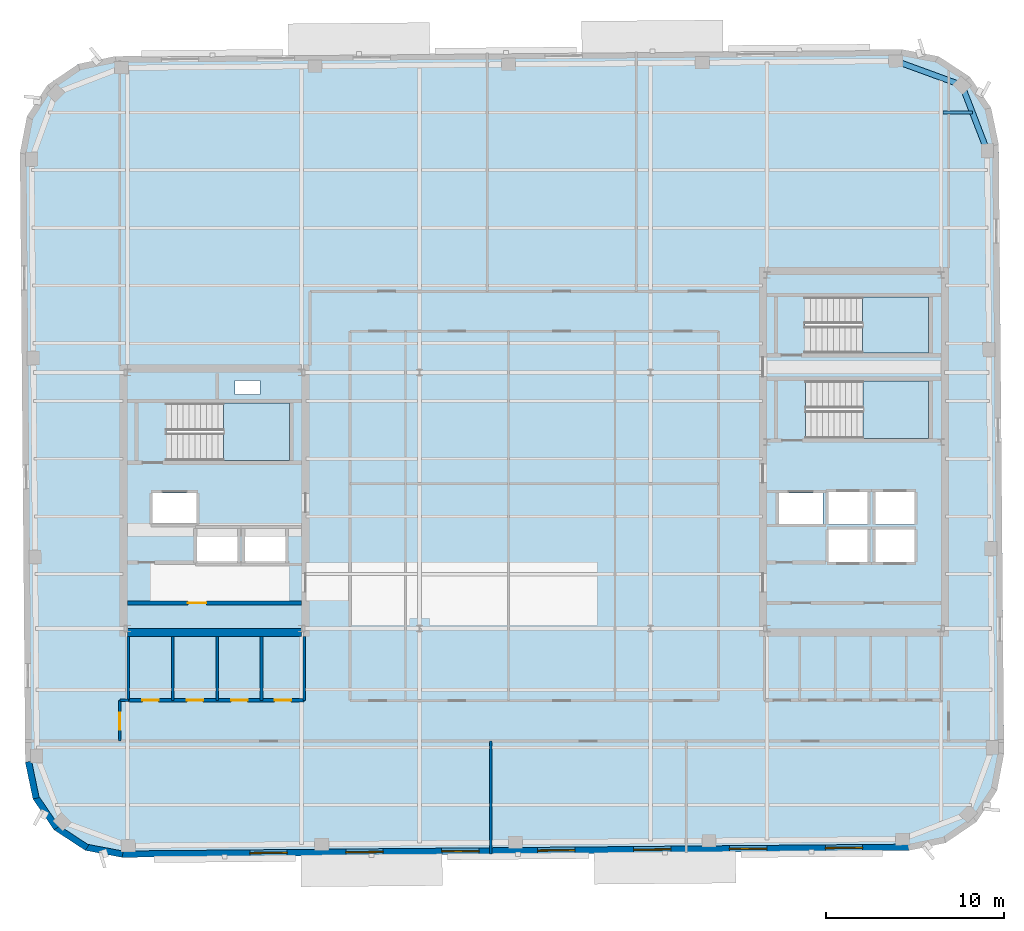
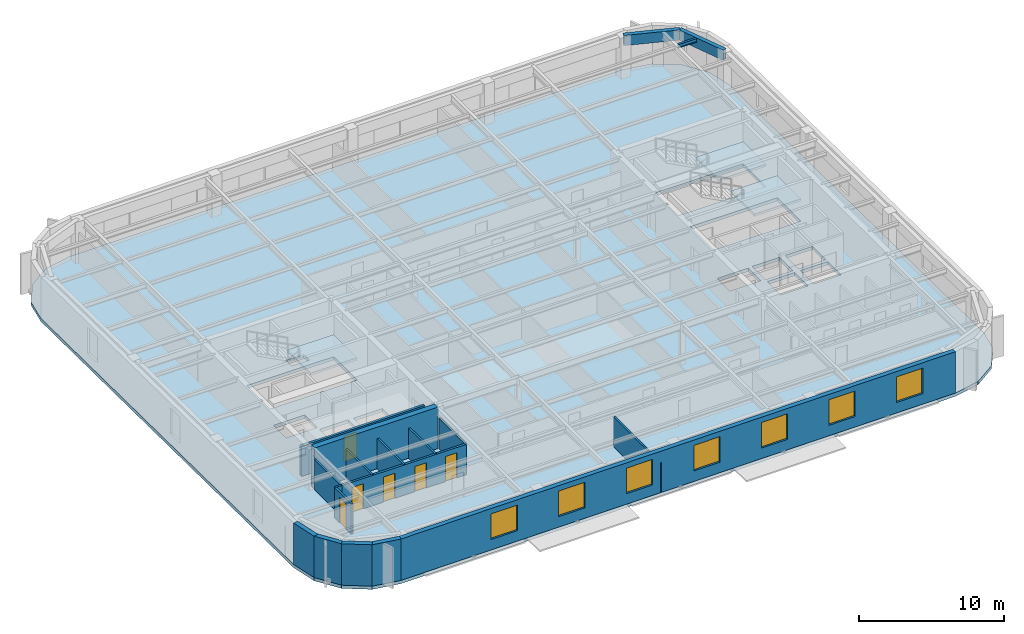
# One storey, part 6 of 15: 16 walls, 7 windows, 6 doors, 4 slabs, 3 beams, 13 openings, 3 elements without a shape of their own.
"""IFC4 building model written with IfcOpenShell, lengths in metres."""

from ifc_helpers import new_model, si_unit, direction, frame, frame_2d, origin, origin_2d, place, context, subcontext, project, spatial, polyline, rectangle, hollow_rectangle, i_section, outline, extrude, material, layer, layer_set, material_profile, profile_set, type_object, element, fill, aggregate, save


model = new_model("IFC4")

# Units and contexts
model_context = context("Model", 3, precision=1e-05, world=origin(), true_north=direction((0.0, 1.0)))
body_context = subcontext(model_context, "Body", "Model", "MODEL_VIEW")
ifc_project = project(units=[si_unit("LENGTHUNIT", "METRE"), si_unit("AREAUNIT", "SQUARE_METRE"), si_unit("VOLUMEUNIT", "CUBIC_METRE"), si_unit("PLANEANGLEUNIT", "RADIAN"), si_unit("MASSUNIT", "GRAM", prefix="KILO")], contexts=[model_context])

# Site, building, storey
site_placement = place(None, origin())
site = spatial("IfcSite", under=ifc_project, at=site_placement, CompositionType="ELEMENT")
building_placement = place(site_placement, origin())
building = spatial("IfcBuilding", under=site, at=building_placement, Name="Kolvaren Arena Tower", CompositionType="ELEMENT")
storey_placement = place(building_placement, frame((0.0, 0.0, 304.89990234375)))
storey = spatial("IfcBuildingStorey", under=building, at=storey_placement, Name="L75", CompositionType="ELEMENT", Elevation=304.89990234375)

# Beams
ifc_material_1 = material(Name="Steel CSA G40.21 350W", Category="steel")
ifc_material_profile_1 = material_profile(ifc_material_1, i_section(OverallWidth=0.1669921875, OverallDepth=0.31689453125, WebThickness=0.007568359375, FlangeThickness=0.01318359375, FilletRadius=0.010009765625, at=origin_2d()), Name="W310x52")
ifc_profile_set_1 = profile_set([ifc_material_profile_1], Name="Steel CSA G40.21 350W")
beam_type_1 = type_object("IfcBeamType", Name="JOIST-02", PredefinedType="JOIST", material=ifc_profile_set_1)
beam_placement = place(storey_placement, frame((60.464111328125, 48.5, 3.321533203125), z_axis=(1.0, 0.0, 0.0), x_axis=(0.0, 1.0, 0.0)))
element("IfcBeam", 1, at=beam_placement, inside=storey, type_object=beam_type_1, Name="Composite Floor Joist (L75)", PredefinedType="JOIST", context=body_context, shape_type="SweptSolid", body=[
    extrude(i_section(OverallWidth=0.1669921875, OverallDepth=0.31689453125, WebThickness=0.007568359375, FlangeThickness=0.01318359375, FilletRadius=0.010009765625, at=origin_2d()), origin(), (0.0, 0.0, 1.0), 1.654296875),
])
ifc_material_2 = material(Name="Steel CSA G40.21 350WT", Category="steel")
ifc_material_profile_2 = material_profile(ifc_material_2, hollow_rectangle(XDim=0.320068359375, YDim=0.860107421875, WallThickness=0.01806640625, at=origin_2d()), Name="HSS 860x320x18")
ifc_profile_set_2 = profile_set([ifc_material_profile_2], Name="Steel CSA G40.21 350WT")
beam_type_2 = type_object("IfcBeamType", Name="SPAND-02", PredefinedType="SPANDREL", material=ifc_profile_set_2)
for number, where, z_axis, x_axis, name in (
    (2, (62.952392578125, 46.333984375, 3.050048828125), (-0.359383792094, 0.933189846698, 0.0), (-0.933189846698, -0.359383792094, 0.0), "Perimeter Spandrel Beam (L75)"),
    (3, (61.52880859375, 50.030517578125, 3.050048828125), (-0.939313819882, 0.343059102458, 0.0), (-0.343059102458, -0.939313819882, 0.0), "Perimeter Spandrel Beam (L75)"),
):
    element("IfcBeam", number, at=place(storey_placement, frame(where, z_axis=z_axis, x_axis=x_axis)), inside=storey, type_object=beam_type_2, Name=name, PredefinedType="SPANDREL", context=body_context, shape_type="SweptSolid", body=[
        extrude(hollow_rectangle(XDim=0.320068359375, YDim=0.860107421875, WallThickness=0.01806640625, at=origin_2d()), origin(), (0.0, 0.0, 1.0), 3.961181640625),
    ])

# Stair, slab
ifc_material_3 = material(Name="Concrete 45 MPa", Category="concrete")
stair_type_1 = type_object("IfcStairType", Name="STAIR-CORE-165", PredefinedType="HALF_TURN_STAIR", material=ifc_material_3)
stair_1_placement = place(storey_placement, origin())
stair_1 = element("IfcStair", 4, at=stair_1_placement, inside=storey, type_object=stair_type_1, Name="L75 ST-W1", PredefinedType="HALF_TURN_STAIR")
ifc_layer_1 = layer(ifc_material_3, 0.199951171875)
ifc_layer_set_1 = layer_set([ifc_layer_1], Name="Concrete 45 MPa")
slab_type_1 = type_object("IfcSlabType", Name="SLAB-LAND", PredefinedType="LANDING", material=ifc_layer_set_1)
slab_1_placement = place(storey_placement, frame((0.0, 0.0, 1.675048828125)))
slab_1 = element("IfcSlab", 5, at=slab_1_placement, type_object=slab_type_1, Name="ST-W1 landing 1", PredefinedType="LANDING", context=body_context, shape_type="SweptSolid", body=[
    extrude(outline(polyline([(19.9599609375, 28.89990234375), (23.659912109375, 28.89990234375), (23.659912109375, 32.1298828125), (19.9599609375, 32.1298828125), (19.9599609375, 28.89990234375)])), origin(), (0.0, 0.0, 1.0), 0.199951171875),
])
aggregate(stair_1, [slab_1])

stair_2_placement = place(storey_placement, origin())
stair_2 = element("IfcStair", 6, at=stair_2_placement, inside=storey, type_object=stair_type_1, Name="L75 ST-E1", PredefinedType="HALF_TURN_STAIR")
slab_2_placement = place(storey_placement, frame((0.0, 0.0, 1.675048828125)))
slab_2 = element("IfcSlab", 7, at=slab_2_placement, type_object=slab_type_1, Name="ST-E1 landing 1", PredefinedType="LANDING", context=body_context, shape_type="SweptSolid", body=[
    extrude(outline(polyline([(55.9599609375, 30.14990234375), (59.659912109375, 30.14990234375), (59.659912109375, 33.3798828125), (55.9599609375, 33.3798828125), (55.9599609375, 30.14990234375)])), origin(), (0.0, 0.0, 1.0), 0.199951171875),
])
aggregate(stair_2, [slab_2])

stair_type_2 = type_object("IfcStairType", Name="STAIR-CORE-150", PredefinedType="HALF_TURN_STAIR", material=ifc_material_3)
stair_3_placement = place(storey_placement, origin())
stair_3 = element("IfcStair", 8, at=stair_3_placement, inside=storey, type_object=stair_type_2, Name="L75 ST-E2", PredefinedType="HALF_TURN_STAIR")
slab_3_placement = place(storey_placement, frame((0.0, 0.0, 1.675048828125)))
slab_3 = element("IfcSlab", 9, at=slab_3_placement, type_object=slab_type_1, Name="ST-E2 landing 1", PredefinedType="LANDING", context=body_context, shape_type="SweptSolid", body=[
    extrude(outline(polyline([(55.919921875, 34.949951171875), (59.659912109375, 34.949951171875), (59.659912109375, 38.10009765625), (55.919921875, 38.10009765625), (55.919921875, 34.949951171875)])), origin(), (0.0, 0.0, 1.0), 0.199951171875),
])
aggregate(stair_3, [slab_3])

# Slab
ifc_layer_2 = layer(ifc_material_3, 0.27001953125)
ifc_layer_set_2 = layer_set([ifc_layer_2], Name="Concrete 45 MPa")
slab_type_2 = type_object("IfcSlabType", Name="SLAB-OFF2", PredefinedType="FLOOR", material=ifc_layer_set_2)
slab_4_placement = place(storey_placement, frame((0.0, 0.0, -0.27001953125)))
element("IfcSlab", 10, at=slab_4_placement, inside=storey, type_object=slab_type_2, Name="L75 Primary Structural Slab", PredefinedType="FLOOR", context=body_context, shape_type="SweptSolid", body=[
    extrude(outline(polyline([(58.5458984375, 6.944091796875), (60.60888671875, 7.373291015625), (62.350341796875, 8.55908203125), (63.505615234375, 10.321044921875), (63.898681640625, 12.39111328125), (63.599365234375, 46.689697265625), (63.170166015625, 48.752685546875), (61.984375, 50.494140625), (60.222412109375, 51.6494140625), (58.15234375, 52.04248046875), (13.85400390625, 51.65576171875), (11.791259765625, 51.226806640625), (10.049560546875, 50.041015625), (8.894287109375, 48.27880859375), (8.50146484375, 46.208984375), (8.80078125, 11.91015625), (9.229736328125, 9.847412109375), (10.41552734375, 8.105712890625), (12.177490234375, 6.95068359375), (14.24755859375, 6.5576171875), (58.5458984375, 6.944091796875)]), holes=[polyline([(20.739990234375, 23.135009765625), (18.4599609375, 23.135009765625), (18.4599609375, 25.06494140625), (20.739990234375, 25.06494140625), (20.739990234375, 23.135009765625)]), polyline([(21.159912109375, 23.135009765625), (21.159912109375, 25.06494140625), (23.43994140625, 25.06494140625), (23.43994140625, 23.135009765625), (21.159912109375, 23.135009765625)]), polyline([(56.2099609375, 23.18505859375), (54.030029296875, 23.18505859375), (54.030029296875, 25.014892578125), (56.2099609375, 25.014892578125), (56.2099609375, 23.18505859375)]), polyline([(56.669921875, 23.18505859375), (56.669921875, 25.014892578125), (58.85009765625, 25.014892578125), (58.85009765625, 23.18505859375), (56.669921875, 23.18505859375)]), polyline([(54.030029296875, 25.284912109375), (54.030029296875, 27.114990234375), (56.2099609375, 27.114990234375), (56.2099609375, 25.284912109375), (54.030029296875, 25.284912109375)]), polyline([(58.85009765625, 25.284912109375), (56.669921875, 25.284912109375), (56.669921875, 27.114990234375), (58.85009765625, 27.114990234375), (58.85009765625, 25.284912109375)]), polyline([(15.9599609375, 25.3349609375), (15.9599609375, 27.06494140625), (18.43994140625, 27.06494140625), (18.43994140625, 25.3349609375), (15.9599609375, 25.3349609375)]), polyline([(53.699951171875, 25.3349609375), (51.219970703125, 25.3349609375), (51.219970703125, 27.06494140625), (53.699951171875, 27.06494140625), (53.699951171875, 25.3349609375)]), polyline([(16.735107421875, 28.89990234375), (16.735107421875, 32.1298828125), (23.659912109375, 32.1298828125), (23.659912109375, 28.89990234375), (16.735107421875, 28.89990234375)]), polyline([(52.735107421875, 30.14990234375), (52.735107421875, 33.3798828125), (59.659912109375, 33.3798828125), (59.659912109375, 30.14990234375), (52.735107421875, 30.14990234375)]), polyline([(20.60009765625, 32.6201171875), (20.60009765625, 33.39990234375), (22.0, 33.39990234375), (22.0, 32.6201171875), (20.60009765625, 32.6201171875)]), polyline([(52.695068359375, 34.949951171875), (52.695068359375, 38.10009765625), (59.659912109375, 38.10009765625), (59.659912109375, 34.949951171875), (52.695068359375, 34.949951171875)])]), origin(), (0.0, 0.0, 1.0), 0.27001953125),
])

# Wall, opening, door
ifc_material_4 = material(Name="Gypsum board acoustic assembly", Category="gypsum")
ifc_layer_3 = layer(ifc_material_4, 0.159912109375)
ifc_layer_set_3 = layer_set([ifc_layer_3], Name="Gypsum board acoustic assembly")
wall_type_1 = type_object("IfcWallType", Name="CORR-160", PredefinedType="PARTITIONING", material=ifc_layer_set_3)
wall_1_placement = place(storey_placement, frame((14.1201171875, 13.10009765625, 0.0), z_axis=(0.0, 0.0, 1.0), x_axis=(0.0, 1.0, 0.0)))
wall_1 = element("IfcWall", 11, at=wall_1_placement, inside=storey, type_object=wall_type_1, Name="Interior Partition Wall (L75)", PredefinedType="PARTITIONING", context=body_context, shape_type="SweptSolid", body=[
    extrude(rectangle(XDim=2.2998046875, YDim=0.159912109375, at=frame_2d((1.14990234375, 0.0))), origin(), (0.0, 0.0, 1.0), 2.5400390625),
])
opening_1_placement = place(wall_1_placement, frame((0.64990234375, 0.0, 0.0)))
opening_1 = element("IfcOpeningElement", 12, at=opening_1_placement, cuts=wall_1, Name="Opening D05", PredefinedType="OPENING", context=body_context, shape_type="SweptSolid", body=[
    extrude(rectangle(XDim=0.949951171875, YDim=2.14990234375, at=frame_2d((0.47509765625, 1.074951171875))), frame((0.0, 0.08984375, 0.0), z_axis=(0.0, -1.0, 0.0), x_axis=(1.0, 0.0, 0.0)), (0.0, 0.0, 1.0), 0.179931640625),
])
ifc_material_5 = material(Name="Solid-core oak acoustic office door", Category="wood")
door_type_1 = type_object("IfcDoorType", Name="DOOR-OF-095", OperationType="NOTDEFINED", PredefinedType="DOOR", material=ifc_material_5)
door_1_placement = place(opening_1_placement, origin())
door_1 = element("IfcDoor", 13, at=door_1_placement, inside=storey, type_object=door_type_1, Name="West Wing Office Door (L75)", OperationType="SINGLE_SWING_LEFT", OverallHeight=2.14990234375, OverallWidth=0.949951171875, PredefinedType="DOOR", context=body_context, shape_type="SweptSolid", body=[
    extrude(rectangle(XDim=0.949951171875, YDim=2.14990234375, at=frame_2d((0.47509765625, 1.074951171875))), frame((0.0, 0.02490234375, 0.0), z_axis=(0.0, -1.0, 0.0), x_axis=(1.0, 0.0, 0.0)), (0.0, 0.0, 1.0), 0.050048828125),
])
fill(opening_1, door_1)

# Walls
wall_2_placement = place(storey_placement, frame((14.1201171875, 15.39990234375, 0.0), z_axis=(0.0, 0.0, 1.0), x_axis=(1.0, 0.0, 0.0)))
element("IfcWall", 14, at=wall_2_placement, inside=storey, type_object=wall_type_1, Name="Interior Partition Wall (L75)", PredefinedType="PARTITIONING", context=body_context, shape_type="SweptSolid", body=[
    extrude(rectangle(XDim=0.5, YDim=0.159912109375, at=frame_2d((0.25, 0.0))), origin(), (0.0, 0.0, 1.0), 2.5400390625),
])
ifc_material_6 = material(Name="Concrete 55 MPa", Category="concrete")
ifc_layer_4 = layer(ifc_material_6, 0.449951171875)
ifc_layer_set_4 = layer_set([ifc_layer_4], Name="Concrete 55 MPa")
wall_type_2 = type_object("IfcWallType", Name="CWALL-450", PredefinedType="SHEAR", material=ifc_layer_set_4)
wall_3_placement = place(storey_placement, frame((14.550048828125, 19.22509765625, -0.27001953125), z_axis=(0.0, 0.0, 1.0), x_axis=(1.0, 0.0, 0.0)))
element("IfcWall", 15, at=wall_3_placement, inside=storey, type_object=wall_type_2, Name="Core Shear Wall WC-SOUTH (L75)", PredefinedType="SHEAR", context=body_context, shape_type="SweptSolid", body=[
    extrude(rectangle(XDim=9.800048828125, YDim=0.449951171875, at=frame_2d((4.89990234375, 0.0))), origin(), (0.0, 0.0, 1.0), 3.75),
])
ifc_material_7 = material(Name="Precast concrete C50/60", Category="concrete")
ifc_layer_5 = layer(ifc_material_7, 0.360107421875)
ifc_layer_set_5 = layer_set([ifc_layer_5], Name="Precast concrete C50/60")
wall_type_3 = type_object("IfcWallType", Name="EXT-PIER2", PredefinedType="SOLIDWALL", material=ifc_layer_set_5)
wall_4_placement = place(storey_placement, frame((9.406005859375, 9.884033203125, 0.0), z_axis=(0.0, 0.0, 1.0), x_axis=(-0.203685893209, 0.979036289883, 0.0)))
element("IfcWall", 16, at=wall_4_placement, inside=storey, type_object=wall_type_3, Name="Exterior Precast Masonry-Frame Wall (L75)", PredefinedType="SOLIDWALL", context=body_context, shape_type="SweptSolid", body=[
    extrude(rectangle(XDim=2.107177734375, YDim=0.360107421875, at=frame_2d((1.0537109375, 0.0))), origin(), (0.0, 0.0, 1.0), 3.47998046875),
])
for number, where, z_axis, x_axis, name in (
    (17, (10.564453125, 8.20703125, 0.0), (0.0, 0.0, 1.0), (-0.56277581689, 0.826609569219, 0.0), "Exterior Precast Masonry-Frame Wall (L75)"),
    (18, (12.2763671875, 7.10107421875, 0.0), (0.0, 0.0, 1.0), (-0.836268756678, 0.548319766745, 0.0), "Exterior Precast Masonry-Frame Wall (L75)"),
):
    element("IfcWall", number, at=place(storey_placement, frame(where, z_axis=z_axis, x_axis=x_axis)), inside=storey, type_object=wall_type_3, Name=name, PredefinedType="SOLIDWALL", context=body_context, shape_type="SweptSolid", body=[
        extrude(rectangle(XDim=2.10693359375, YDim=0.360107421875, at=frame_2d((1.053466796875, 0.0))), origin(), (0.0, 0.0, 1.0), 3.47998046875),
    ])
wall_5_placement = place(storey_placement, frame((14.28125, 6.734375, 0.0), z_axis=(0.0, 0.0, 1.0), x_axis=(-0.982445905584, 0.186547695246, 0.0)))
element("IfcWall", 19, at=wall_5_placement, inside=storey, type_object=wall_type_3, Name="Exterior Precast Masonry-Frame Wall (L75)", PredefinedType="SOLIDWALL", context=body_context, shape_type="SweptSolid", body=[
    extrude(rectangle(XDim=2.107177734375, YDim=0.360107421875, at=frame_2d((1.0537109375, 0.0))), origin(), (0.0, 0.0, 1.0), 3.47998046875),
])

# Wall, openings, windows
wall_6_placement = place(storey_placement, frame((58.544189453125, 7.124267578125, 0.0), z_axis=(0.0, 0.0, 1.0), x_axis=(-0.999961896442, -0.008729585516, 0.0)))
wall_6 = element("IfcWall", 20, at=wall_6_placement, inside=storey, type_object=wall_type_3, Name="Exterior Precast Masonry-Frame Wall (L75)", PredefinedType="SOLIDWALL", context=body_context, shape_type="SweptSolid", body=[
    extrude(rectangle(XDim=44.2998046875, YDim=0.360107421875, at=frame_2d((22.14990234375, 0.0))), origin(), (0.0, 0.0, 1.0), 3.47998046875),
])
opening_2_placement = place(wall_6_placement, frame((2.60009765625, 0.0, 0.8798828125)))
opening_2 = element("IfcOpeningElement", 21, at=opening_2_placement, cuts=wall_6, Name="Opening W01", PredefinedType="OPENING", context=body_context, shape_type="SweptSolid", body=[
    extrude(rectangle(XDim=2.10009765625, YDim=2.14990234375, at=frame_2d((1.050048828125, 1.074951171875))), frame((0.0, 0.18994140625, 0.0), z_axis=(0.0, -1.0, 0.0), x_axis=(1.0, 0.0, 0.0)), (0.0, 0.0, 1.0), 0.380126953125),
])
opening_3_placement = place(wall_6_placement, frame((8.0, 0.0, 0.8798828125)))
opening_3 = element("IfcOpeningElement", 22, at=opening_3_placement, cuts=wall_6, Name="Opening W01", PredefinedType="OPENING", context=body_context, shape_type="SweptSolid", body=[
    extrude(rectangle(XDim=2.10009765625, YDim=2.14990234375, at=frame_2d((1.050048828125, 1.074951171875))), frame((0.0, 0.18994140625, 0.0), z_axis=(0.0, -1.0, 0.0), x_axis=(1.0, 0.0, 0.0)), (0.0, 0.0, 1.0), 0.380126953125),
])
opening_4_placement = place(wall_6_placement, frame((13.39990234375, 0.0, 0.8798828125)))
opening_4 = element("IfcOpeningElement", 23, at=opening_4_placement, cuts=wall_6, Name="Opening W01", PredefinedType="OPENING", context=body_context, shape_type="SweptSolid", body=[
    extrude(rectangle(XDim=2.10009765625, YDim=2.14990234375, at=frame_2d((1.050048828125, 1.074951171875))), frame((0.0, 0.18994140625, 0.0), z_axis=(0.0, -1.0, 0.0), x_axis=(1.0, 0.0, 0.0)), (0.0, 0.0, 1.0), 0.380126953125),
])
opening_5_placement = place(wall_6_placement, frame((18.800048828125, 0.0, 0.8798828125)))
opening_5 = element("IfcOpeningElement", 24, at=opening_5_placement, cuts=wall_6, Name="Opening W01", PredefinedType="OPENING", context=body_context, shape_type="SweptSolid", body=[
    extrude(rectangle(XDim=2.10009765625, YDim=2.14990234375, at=frame_2d((1.050048828125, 1.074951171875))), frame((0.0, 0.18994140625, 0.0), z_axis=(0.0, -1.0, 0.0), x_axis=(1.0, 0.0, 0.0)), (0.0, 0.0, 1.0), 0.380126953125),
])
opening_6_placement = place(wall_6_placement, frame((24.199951171875, 0.0, 0.8798828125)))
opening_6 = element("IfcOpeningElement", 25, at=opening_6_placement, cuts=wall_6, Name="Opening W01", PredefinedType="OPENING", context=body_context, shape_type="SweptSolid", body=[
    extrude(rectangle(XDim=2.10009765625, YDim=2.14990234375, at=frame_2d((1.050048828125, 1.074951171875))), frame((0.0, 0.18994140625, 0.0), z_axis=(0.0, -1.0, 0.0), x_axis=(1.0, 0.0, 0.0)), (0.0, 0.0, 1.0), 0.380126953125),
])
opening_7_placement = place(wall_6_placement, frame((29.60009765625, 0.0, 0.8798828125)))
opening_7 = element("IfcOpeningElement", 26, at=opening_7_placement, cuts=wall_6, Name="Opening W01", PredefinedType="OPENING", context=body_context, shape_type="SweptSolid", body=[
    extrude(rectangle(XDim=2.10009765625, YDim=2.14990234375, at=frame_2d((1.050048828125, 1.074951171875))), frame((0.0, 0.18994140625, 0.0), z_axis=(0.0, -1.0, 0.0), x_axis=(1.0, 0.0, 0.0)), (0.0, 0.0, 1.0), 0.380126953125),
])
opening_8_placement = place(wall_6_placement, frame((35.0, 0.0, 0.8798828125)))
opening_8 = element("IfcOpeningElement", 27, at=opening_8_placement, cuts=wall_6, Name="Opening W01", PredefinedType="OPENING", context=body_context, shape_type="SweptSolid", body=[
    extrude(rectangle(XDim=2.10009765625, YDim=2.14990234375, at=frame_2d((1.050048828125, 1.074951171875))), frame((0.0, 0.18994140625, 0.0), z_axis=(0.0, -1.0, 0.0), x_axis=(1.0, 0.0, 0.0)), (0.0, 0.0, 1.0), 0.380126953125),
])
ifc_material_8 = material(Name="Triple-glazed low-E aluminium window", Category="aluminium")
window_type = type_object("IfcWindowType", Name="WIN-OFF-A", PartitioningType="DOUBLE_PANEL_VERTICAL", PredefinedType="WINDOW", material=ifc_material_8)
window_1_placement = place(opening_2_placement, origin())
window_1 = element("IfcWindow", 28, at=window_1_placement, inside=storey, type_object=window_type, Name="Punched Precast-Pier Window (L75)", OverallHeight=2.14990234375, OverallWidth=2.10009765625, PartitioningType="DOUBLE_PANEL_VERTICAL", PredefinedType="WINDOW", context=body_context, shape_type="SweptSolid", body=[
    extrude(rectangle(XDim=2.10009765625, YDim=2.14990234375, at=frame_2d((1.050048828125, 1.074951171875))), frame((0.0, 0.030029296875, 0.0), z_axis=(0.0, -1.0, 0.0), x_axis=(1.0, 0.0, 0.0)), (0.0, 0.0, 1.0), 0.06005859375),
])
fill(opening_2, window_1)
window_2_placement = place(opening_3_placement, origin())
window_2 = element("IfcWindow", 29, at=window_2_placement, inside=storey, type_object=window_type, Name="Punched Precast-Pier Window (L75)", OverallHeight=2.14990234375, OverallWidth=2.10009765625, PartitioningType="DOUBLE_PANEL_VERTICAL", PredefinedType="WINDOW", context=body_context, shape_type="SweptSolid", body=[
    extrude(rectangle(XDim=2.10009765625, YDim=2.14990234375, at=frame_2d((1.050048828125, 1.074951171875))), frame((0.0, 0.030029296875, 0.0), z_axis=(0.0, -1.0, 0.0), x_axis=(1.0, 0.0, 0.0)), (0.0, 0.0, 1.0), 0.06005859375),
])
fill(opening_3, window_2)
window_3_placement = place(opening_4_placement, origin())
window_3 = element("IfcWindow", 30, at=window_3_placement, inside=storey, type_object=window_type, Name="Punched Precast-Pier Window (L75)", OverallHeight=2.14990234375, OverallWidth=2.10009765625, PartitioningType="DOUBLE_PANEL_VERTICAL", PredefinedType="WINDOW", context=body_context, shape_type="SweptSolid", body=[
    extrude(rectangle(XDim=2.10009765625, YDim=2.14990234375, at=frame_2d((1.050048828125, 1.074951171875))), frame((0.0, 0.030029296875, 0.0), z_axis=(0.0, -1.0, 0.0), x_axis=(1.0, 0.0, 0.0)), (0.0, 0.0, 1.0), 0.06005859375),
])
fill(opening_4, window_3)
window_4_placement = place(opening_5_placement, origin())
window_4 = element("IfcWindow", 31, at=window_4_placement, inside=storey, type_object=window_type, Name="Punched Precast-Pier Window (L75)", OverallHeight=2.14990234375, OverallWidth=2.10009765625, PartitioningType="DOUBLE_PANEL_VERTICAL", PredefinedType="WINDOW", context=body_context, shape_type="SweptSolid", body=[
    extrude(rectangle(XDim=2.10009765625, YDim=2.14990234375, at=frame_2d((1.050048828125, 1.074951171875))), frame((0.0, 0.030029296875, 0.0), z_axis=(0.0, -1.0, 0.0), x_axis=(1.0, 0.0, 0.0)), (0.0, 0.0, 1.0), 0.06005859375),
])
fill(opening_5, window_4)
window_5_placement = place(opening_6_placement, origin())
window_5 = element("IfcWindow", 32, at=window_5_placement, inside=storey, type_object=window_type, Name="Punched Precast-Pier Window (L75)", OverallHeight=2.14990234375, OverallWidth=2.10009765625, PartitioningType="DOUBLE_PANEL_VERTICAL", PredefinedType="WINDOW", context=body_context, shape_type="SweptSolid", body=[
    extrude(rectangle(XDim=2.10009765625, YDim=2.14990234375, at=frame_2d((1.050048828125, 1.074951171875))), frame((0.0, 0.030029296875, 0.0), z_axis=(0.0, -1.0, 0.0), x_axis=(1.0, 0.0, 0.0)), (0.0, 0.0, 1.0), 0.06005859375),
])
fill(opening_6, window_5)
window_6_placement = place(opening_7_placement, origin())
window_6 = element("IfcWindow", 33, at=window_6_placement, inside=storey, type_object=window_type, Name="Punched Precast-Pier Window (L75)", OverallHeight=2.14990234375, OverallWidth=2.10009765625, PartitioningType="DOUBLE_PANEL_VERTICAL", PredefinedType="WINDOW", context=body_context, shape_type="SweptSolid", body=[
    extrude(rectangle(XDim=2.10009765625, YDim=2.14990234375, at=frame_2d((1.050048828125, 1.074951171875))), frame((0.0, 0.030029296875, 0.0), z_axis=(0.0, -1.0, 0.0), x_axis=(1.0, 0.0, 0.0)), (0.0, 0.0, 1.0), 0.06005859375),
])
fill(opening_7, window_6)
window_7_placement = place(opening_8_placement, origin())
window_7 = element("IfcWindow", 34, at=window_7_placement, inside=storey, type_object=window_type, Name="Punched Precast-Pier Window (L75)", OverallHeight=2.14990234375, OverallWidth=2.10009765625, PartitioningType="DOUBLE_PANEL_VERTICAL", PredefinedType="WINDOW", context=body_context, shape_type="SweptSolid", body=[
    extrude(rectangle(XDim=2.10009765625, YDim=2.14990234375, at=frame_2d((1.050048828125, 1.074951171875))), frame((0.0, 0.030029296875, 0.0), z_axis=(0.0, -1.0, 0.0), x_axis=(1.0, 0.0, 0.0)), (0.0, 0.0, 1.0), 0.06005859375),
])
fill(opening_8, window_7)

# Wall, opening, door
ifc_material_9 = material(Name="Concrete 40 MPa", Category="concrete")
ifc_layer_6 = layer(ifc_material_9, 0.199951171875)
ifc_layer_set_6 = layer_set([ifc_layer_6], Name="Concrete 40 MPa")
wall_type_4 = type_object("IfcWallType", Name="LOBBY-200", PredefinedType="SOLIDWALL", material=ifc_layer_set_6)
wall_7_placement = place(storey_placement, frame((14.550048828125, 20.8798828125, 0.0), z_axis=(0.0, 0.0, 1.0), x_axis=(1.0, 0.0, 0.0)))
wall_7 = element("IfcWall", 35, at=wall_7_placement, inside=storey, type_object=wall_type_4, Name="Core Shaft Wall (L75)", PredefinedType="SOLIDWALL", context=body_context, shape_type="SweptSolid", body=[
    extrude(rectangle(XDim=9.800048828125, YDim=0.199951171875, at=frame_2d((4.89990234375, 0.0))), origin(), (0.0, 0.0, 1.0), 2.5400390625),
])
opening_9_placement = place(wall_7_placement, frame((3.39990234375, 0.0, 0.0)))
opening_9 = element("IfcOpeningElement", 36, at=opening_9_placement, cuts=wall_7, Name="Opening D04", PredefinedType="OPENING", context=body_context, shape_type="SweptSolid", body=[
    extrude(rectangle(XDim=1.050048828125, YDim=2.14990234375, at=frame_2d((0.52490234375, 1.074951171875))), frame((0.0, 0.10986328125, 0.0), z_axis=(0.0, -1.0, 0.0), x_axis=(1.0, 0.0, 0.0)), (0.0, 0.0, 1.0), 0.219970703125),
])
ifc_material_10 = material(Name="Fire-rated steel lobby door", Category="steel")
door_type_2 = type_object("IfcDoorType", Name="DOOR-FF-105", OperationType="NOTDEFINED", PredefinedType="DOOR", material=ifc_material_10)
door_2_placement = place(opening_9_placement, origin())
door_2 = element("IfcDoor", 37, at=door_2_placement, inside=storey, type_object=door_type_2, Name="West IT Room Fire Door (L75)", OperationType="SINGLE_SWING_LEFT", OverallHeight=2.14990234375, OverallWidth=1.050048828125, PredefinedType="DOOR", context=body_context, shape_type="SweptSolid", body=[
    extrude(rectangle(XDim=1.050048828125, YDim=2.14990234375, at=frame_2d((0.52490234375, 1.074951171875))), frame((0.0, 0.02490234375, 0.0), z_axis=(0.0, -1.0, 0.0), x_axis=(1.0, 0.0, 0.0)), (0.0, 0.0, 1.0), 0.050048828125),
])
fill(opening_9, door_2)

# Walls
ifc_material_11 = material(Name="Gypsum board partition assembly", Category="gypsum")
ifc_layer_7 = layer(ifc_material_11, 0.135009765625)
ifc_layer_set_7 = layer_set([ifc_layer_7], Name="Gypsum board partition assembly")
wall_type_5 = type_object("IfcWallType", Name="PART-135", PredefinedType="PARTITIONING", material=ifc_layer_set_7)
wall_8_placement = place(storey_placement, frame((35.0, 6.73876953125, 0.0), z_axis=(0.0, 0.0, 1.0), x_axis=(0.0, 1.0, 0.0)))
element("IfcWall", 38, at=wall_8_placement, inside=storey, type_object=wall_type_5, Name="Interior Partition Wall (L75)", PredefinedType="PARTITIONING", context=body_context, shape_type="SweptSolid", body=[
    extrude(rectangle(XDim=6.361328125, YDim=0.135009765625, at=frame_2d((3.1806640625, 0.0))), origin(), (0.0, 0.0, 1.0), 2.5400390625),
])
ifc_material_12 = material(Name="Moisture-resistant gypsum assembly", Category="gypsum")
ifc_layer_8 = layer(ifc_material_12, 0.14990234375)
ifc_layer_set_8 = layer_set([ifc_layer_8], Name="Moisture-resistant gypsum assembly")
wall_type_6 = type_object("IfcWallType", Name="WETW-150", PredefinedType="PARTITIONING", material=ifc_layer_set_8)
for number, where, z_axis, x_axis, name in (
    (39, (17.10009765625, 15.39990234375, 0.0), (0.0, 0.0, 1.0), (0.0, 1.0, 0.0), "Interior Partition Wall (L75)"),
    (40, (19.60009765625, 15.39990234375, 0.0), (0.0, 0.0, 1.0), (0.0, 1.0, 0.0), "Interior Partition Wall (L75)"),
    (41, (22.10009765625, 15.39990234375, 0.0), (0.0, 0.0, 1.0), (0.0, 1.0, 0.0), "Interior Partition Wall (L75)"),
):
    element("IfcWall", number, at=place(storey_placement, frame(where, z_axis=z_axis, x_axis=x_axis)), inside=storey, type_object=wall_type_6, Name=name, PredefinedType="PARTITIONING", context=body_context, shape_type="SweptSolid", body=[
        extrude(rectangle(XDim=3.580078125, YDim=0.14990234375, at=frame_2d((1.7900390625, 0.0))), origin(), (0.0, 0.0, 1.0), 2.5400390625),
    ])

# Wall, openings, doors
wall_9_placement = place(storey_placement, frame((14.60009765625, 15.39990234375, 0.0), z_axis=(0.0, 0.0, 1.0), x_axis=(1.0, 0.0, 0.0)))
wall_9 = element("IfcWall", 42, at=wall_9_placement, inside=storey, type_object=wall_type_6, Name="Interior Partition Wall (L75)", PredefinedType="PARTITIONING", context=body_context, shape_type="SweptSolid", body=[
    extrude(rectangle(XDim=9.89990234375, YDim=0.179931640625, at=frame_2d((4.949951171875, 0.0))), origin(), (0.0, 0.0, 1.0), 2.5400390625),
])
opening_10_placement = place(wall_9_placement, frame((0.7900390625, 0.0, 0.0)))
opening_10 = element("IfcOpeningElement", 43, at=opening_10_placement, cuts=wall_9, Name="Opening D07", PredefinedType="OPENING", context=body_context, shape_type="SweptSolid", body=[
    extrude(rectangle(XDim=0.919921875, YDim=2.10009765625, at=frame_2d((0.4599609375, 1.050048828125))), frame((0.0, 0.099853515625, 0.0), z_axis=(0.0, -1.0, 0.0), x_axis=(1.0, 0.0, 0.0)), (0.0, 0.0, 1.0), 0.199951171875),
])
opening_11_placement = place(wall_9_placement, frame((3.2900390625, 0.0, 0.0)))
opening_11 = element("IfcOpeningElement", 44, at=opening_11_placement, cuts=wall_9, Name="Opening D07", PredefinedType="OPENING", context=body_context, shape_type="SweptSolid", body=[
    extrude(rectangle(XDim=0.919921875, YDim=2.10009765625, at=frame_2d((0.4599609375, 1.050048828125))), frame((0.0, 0.099853515625, 0.0), z_axis=(0.0, -1.0, 0.0), x_axis=(1.0, 0.0, 0.0)), (0.0, 0.0, 1.0), 0.199951171875),
])
opening_12_placement = place(wall_9_placement, frame((5.7900390625, 0.0, 0.0)))
opening_12 = element("IfcOpeningElement", 45, at=opening_12_placement, cuts=wall_9, Name="Opening D07", PredefinedType="OPENING", context=body_context, shape_type="SweptSolid", body=[
    extrude(rectangle(XDim=0.919921875, YDim=2.10009765625, at=frame_2d((0.4599609375, 1.050048828125))), frame((0.0, 0.099853515625, 0.0), z_axis=(0.0, -1.0, 0.0), x_axis=(1.0, 0.0, 0.0)), (0.0, 0.0, 1.0), 0.199951171875),
])
opening_13_placement = place(wall_9_placement, frame((8.239990234375, 0.0, 0.0)))
opening_13 = element("IfcOpeningElement", 46, at=opening_13_placement, cuts=wall_9, Name="Opening D07", PredefinedType="OPENING", context=body_context, shape_type="SweptSolid", body=[
    extrude(rectangle(XDim=0.919921875, YDim=2.10009765625, at=frame_2d((0.4599609375, 1.050048828125))), frame((0.0, 0.099853515625, 0.0), z_axis=(0.0, -1.0, 0.0), x_axis=(1.0, 0.0, 0.0)), (0.0, 0.0, 1.0), 0.199951171875),
])
ifc_material_13 = material(Name="Laminate universal washroom door", Category="wood")
door_type_3 = type_object("IfcDoorType", Name="DOOR-WC-092", OperationType="NOTDEFINED", PredefinedType="DOOR", material=ifc_material_13)
door_3_placement = place(opening_10_placement, origin())
door_3 = element("IfcDoor", 47, at=door_3_placement, inside=storey, type_object=door_type_3, Name="Women Restroom Door (L75)", OperationType="SINGLE_SWING_LEFT", OverallHeight=2.10009765625, OverallWidth=0.919921875, PredefinedType="DOOR", context=body_context, shape_type="SweptSolid", body=[
    extrude(rectangle(XDim=0.919921875, YDim=2.10009765625, at=frame_2d((0.4599609375, 1.050048828125))), frame((0.0, 0.02490234375, 0.0), z_axis=(0.0, -1.0, 0.0), x_axis=(1.0, 0.0, 0.0)), (0.0, 0.0, 1.0), 0.050048828125),
])
fill(opening_10, door_3)
door_4_placement = place(opening_11_placement, origin())
door_4 = element("IfcDoor", 48, at=door_4_placement, inside=storey, type_object=door_type_3, Name="Men Restroom Door (L75)", OperationType="SINGLE_SWING_RIGHT", OverallHeight=2.10009765625, OverallWidth=0.919921875, PredefinedType="DOOR", context=body_context, shape_type="SweptSolid", body=[
    extrude(rectangle(XDim=0.919921875, YDim=2.10009765625, at=frame_2d((0.4599609375, 1.050048828125))), frame((0.0, 0.02490234375, 0.0), z_axis=(0.0, -1.0, 0.0), x_axis=(1.0, 0.0, 0.0)), (0.0, 0.0, 1.0), 0.050048828125),
])
fill(opening_11, door_4)
door_5_placement = place(opening_12_placement, origin())
door_5 = element("IfcDoor", 49, at=door_5_placement, inside=storey, type_object=door_type_3, Name="Universal Barrier-Free Washroom Door (L75)", OperationType="SINGLE_SWING_LEFT", OverallHeight=2.10009765625, OverallWidth=0.919921875, PredefinedType="DOOR", context=body_context, shape_type="SweptSolid", body=[
    extrude(rectangle(XDim=0.919921875, YDim=2.10009765625, at=frame_2d((0.4599609375, 1.050048828125))), frame((0.0, 0.02490234375, 0.0), z_axis=(0.0, -1.0, 0.0), x_axis=(1.0, 0.0, 0.0)), (0.0, 0.0, 1.0), 0.050048828125),
])
fill(opening_12, door_5)
door_6_placement = place(opening_13_placement, origin())
door_6 = element("IfcDoor", 50, at=door_6_placement, inside=storey, type_object=door_type_3, Name="Linen Store Door (L75)", OperationType="SINGLE_SWING_RIGHT", OverallHeight=2.10009765625, OverallWidth=0.919921875, PredefinedType="DOOR", context=body_context, shape_type="SweptSolid", body=[
    extrude(rectangle(XDim=0.919921875, YDim=2.10009765625, at=frame_2d((0.4599609375, 1.050048828125))), frame((0.0, 0.02490234375, 0.0), z_axis=(0.0, -1.0, 0.0), x_axis=(1.0, 0.0, 0.0)), (0.0, 0.0, 1.0), 0.050048828125),
])
fill(opening_13, door_6)

# Walls
for number, where, z_axis, x_axis, name in (
    (51, (14.60009765625, 15.39990234375, 0.0), (0.0, 0.0, 1.0), (0.0, 1.0, 0.0), "Interior Partition Wall (L75)"),
    (52, (24.5, 15.39990234375, 0.0), (0.0, 0.0, 1.0), (0.0, 1.0, 0.0), "Interior Partition Wall (L75)"),
):
    element("IfcWall", number, at=place(storey_placement, frame(where, z_axis=z_axis, x_axis=x_axis)), inside=storey, type_object=wall_type_6, Name=name, PredefinedType="PARTITIONING", context=body_context, shape_type="SweptSolid", body=[
        extrude(rectangle(XDim=3.580078125, YDim=0.14990234375, at=frame_2d((1.7900390625, 0.0))), origin(), (0.0, 0.0, 1.0), 2.5400390625),
    ])

save(model, "model.ifc")
